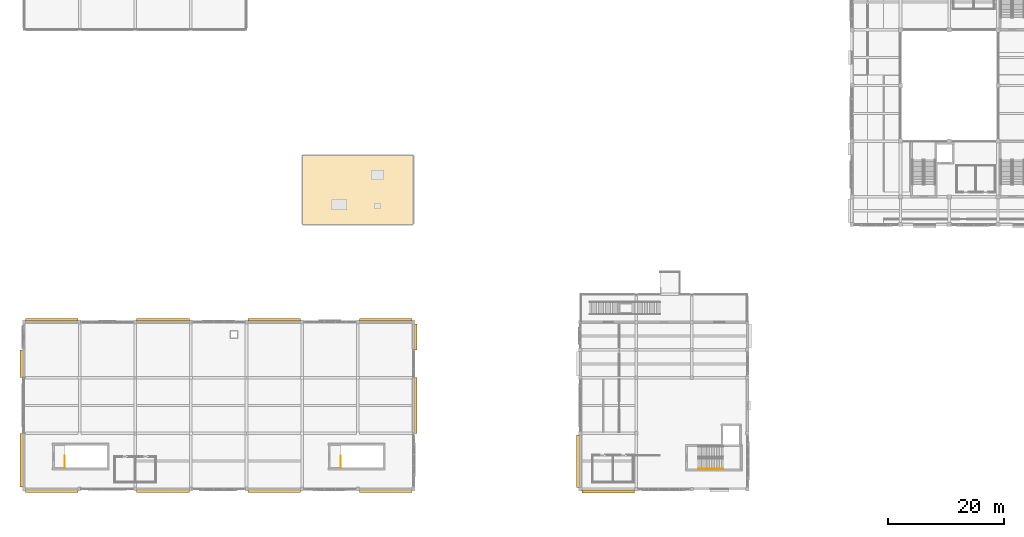
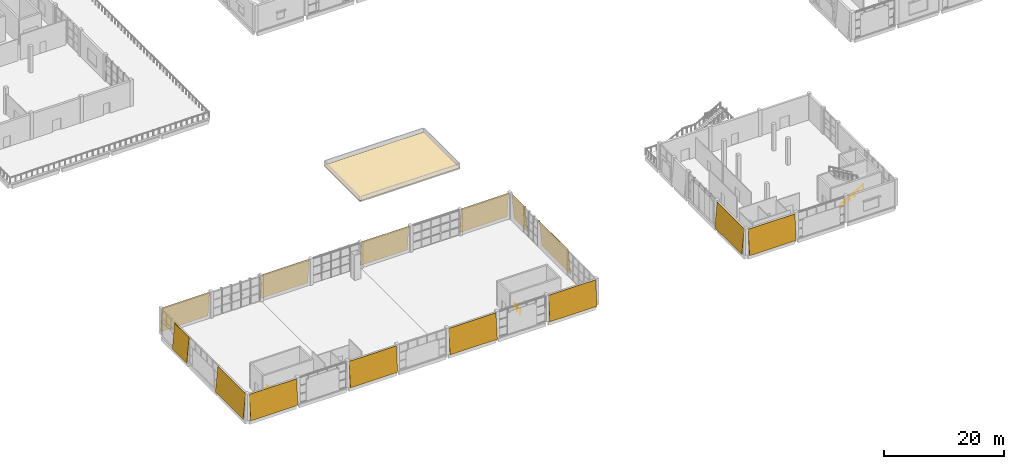
# One storey, part 58 of 72: 15 coverings, 3 railings.
"""IFC4 building model written with IfcOpenShell, lengths in metres."""

from ifc_helpers import new_model, si_unit, direction, frame, origin, origin_2d, place, context, subcontext, project, spatial, polyline, circle, outline, extrude, material, layer, layer_set, type_object, element, save


model = new_model("IFC4")

# Units and contexts
model_context = context("Model", 3, precision=1e-05, world=origin(), true_north=direction((0.0, 1.0)))
body_context = subcontext(model_context, "Body", "Model", "MODEL_VIEW")
ifc_project = project(units=[si_unit("LENGTHUNIT", "METRE"), si_unit("AREAUNIT", "SQUARE_METRE"), si_unit("VOLUMEUNIT", "CUBIC_METRE"), si_unit("PLANEANGLEUNIT", "RADIAN"), si_unit("MASSUNIT", "GRAM", prefix="KILO")], contexts=[model_context])

# Site, building, storey
site_placement = place(None, origin())
site = spatial("IfcSite", under=ifc_project, at=site_placement, CompositionType="ELEMENT")
building_placement = place(site_placement, origin())
building = spatial("IfcBuilding", under=site, at=building_placement, Name="Shalvenor Court Art Gallery", CompositionType="ELEMENT")
storey_placement = place(building_placement, frame((0.0, 0.0, 11.39990234375)))
storey = spatial("IfcBuildingStorey", under=building, at=storey_placement, Name="L02", CompositionType="ELEMENT", Elevation=11.39990234375)

# Coverings
ifc_material_1 = material(Name="Pale Mediterranean limestone cladding", Category="masonry")
ifc_layer_1 = layer(ifc_material_1, 0.080078125, Name="Pale Mediterranean limestone cladding")
ifc_layer_set_1 = layer_set([ifc_layer_1], Name="Pale Mediterranean limestone cladding")
covering_type_1 = type_object("IfcCoveringType", Name="CLD-01", PredefinedType="CLADDING", material=ifc_layer_set_1)
for number, where, z_axis, x_axis, name in (
    (1, (96.300048828125, -0.654052734375, 0.0), (0.0, 0.0, 1.0), (1.0, 0.0, 0.0), "L02 V3 Tapered Limestone Cladding 53"),
    (2, (95.345947265625, 9.300048828125, 0.0), (0.0, 0.0, 1.0), (0.0, -1.0, 0.0), "L02 V3 Tapered Limestone Cladding 54"),
):
    element("IfcCovering", number, at=place(storey_placement, frame(where, z_axis=z_axis, x_axis=x_axis)), inside=storey, type_object=covering_type_1, Name=name, PredefinedType="CLADDING", context=body_context, shape_type="SweptSolid", body=[
        extrude(outline(polyline([(0.0, 0.0), (9.0, 0.0), (9.0, 5.12109375), (0.0, 5.12109375), (0.0, 0.0)])), frame((0.0, 0.0, 0.0), z_axis=(0.0, -0.995884398616, 0.090632580198), x_axis=(1.0, 0.0, 0.0)), (0.0, 0.090632580198, -0.995884398616), 0.080322265625),
    ])
ifc_material_2 = material(Name="Honed Jerusalem limestone cladding", Category="masonry")
ifc_layer_2 = layer(ifc_material_2, 0.06494140625, Name="Honed Jerusalem limestone cladding")
ifc_layer_set_2 = layer_set([ifc_layer_2], Name="Honed Jerusalem limestone cladding")
covering_type_2 = type_object("IfcCoveringType", Name="CLD-02", PredefinedType="CLADDING", material=ifc_layer_set_2)
for number, where, z_axis, x_axis, name in (
    (3, (9.35009765625, 29.43408203125, 0.0), (0.0, 0.0, 1.0), (-1.0, 0.0, 0.0), "L02 V4 Tapered Limestone Cladding 81"),
    (4, (28.550048828125, 29.43408203125, 0.0), (0.0, 0.0, 1.0), (-1.0, 0.0, 0.0), "L02 V4 Tapered Limestone Cladding 82"),
    (5, (47.75, 29.43408203125, 0.0), (0.0, 0.0, 1.0), (-1.0, 0.0, 0.0), "L02 V4 Tapered Limestone Cladding 83"),
):
    element("IfcCovering", number, at=place(storey_placement, frame(where, z_axis=z_axis, x_axis=x_axis)), inside=storey, type_object=covering_type_2, Name=name, PredefinedType="CLADDING", context=body_context, shape_type="SweptSolid", body=[
        extrude(outline(polyline([(0.0, 0.0), (9.10009765625, 0.0), (9.10009765625, 5.12109375), (0.0, 5.12109375), (0.0, 0.0)])), frame((0.0, 0.0, 0.0), z_axis=(0.0, -0.995884398616, 0.090632580198), x_axis=(1.0, 0.0, 0.0)), (0.0, 0.090632580198, -0.995884398616), 0.080322265625),
    ])
covering_1_placement = place(storey_placement, frame((66.949951171875, 29.43408203125, 0.0), z_axis=(0.0, 0.0, 1.0), x_axis=(-1.0, 0.0, 0.0)))
element("IfcCovering", 6, at=covering_1_placement, inside=storey, type_object=covering_type_2, Name="L02 V4 Tapered Limestone Cladding 84", PredefinedType="CLADDING", context=body_context, shape_type="SweptSolid", body=[
    extrude(outline(polyline([(0.0, 0.0), (9.099853515625, 0.0), (9.099853515625, 5.12109375), (0.0, 5.12109375), (0.0, 0.0)])), frame((0.0, 0.0, 0.0), z_axis=(0.0, -0.995884398616, 0.090632580198), x_axis=(1.0, 0.0, 0.0)), (0.0, 0.090632580198, -0.995884398616), 0.080322265625),
])
covering_2_placement = place(storey_placement, frame((67.833984375, 24.0, 0.0), z_axis=(0.0, 0.0, 1.0), x_axis=(0.0, 1.0, 0.0)))
element("IfcCovering", 7, at=covering_2_placement, inside=storey, type_object=covering_type_2, Name="L02 V4 Tapered Limestone Cladding 85", PredefinedType="CLADDING", context=body_context, shape_type="SweptSolid", body=[
    extrude(outline(polyline([(0.0, 0.0), (4.425048828125, 0.0), (4.425048828125, 5.12109375), (0.0, 5.12109375), (0.0, 0.0)])), frame((0.0, 0.0, 0.0), z_axis=(0.0, -0.995884398616, 0.090632580198), x_axis=(1.0, 0.0, 0.0)), (0.0, 0.090632580198, -0.995884398616), 0.080322265625),
])
covering_3_placement = place(storey_placement, frame((67.833984375, 9.60009765625, 0.0), z_axis=(0.0, 0.0, 1.0), x_axis=(0.0, 1.0, 0.0)))
element("IfcCovering", 8, at=covering_3_placement, inside=storey, type_object=covering_type_2, Name="L02 V4 Tapered Limestone Cladding 86", PredefinedType="CLADDING", context=body_context, shape_type="SweptSolid", body=[
    extrude(outline(polyline([(0.0, 0.0), (9.599853515625, 0.0), (9.599853515625, 5.12109375), (0.0, 5.12109375), (0.0, 0.0)])), frame((0.0, 0.0, 0.0), z_axis=(0.0, -0.995884398616, 0.090632580198), x_axis=(1.0, 0.0, 0.0)), (0.0, 0.090632580198, -0.995884398616), 0.080322265625),
])
covering_4_placement = place(storey_placement, frame((57.85009765625, -0.634033203125, 0.0), z_axis=(0.0, 0.0, 1.0), x_axis=(1.0, 0.0, 0.0)))
element("IfcCovering", 9, at=covering_4_placement, inside=storey, type_object=covering_type_2, Name="L02 V4 Tapered Limestone Cladding 87", PredefinedType="CLADDING", context=body_context, shape_type="SweptSolid", body=[
    extrude(outline(polyline([(0.0, 0.0), (9.099853515625, 0.0), (9.099853515625, 5.12109375), (0.0, 5.12109375), (0.0, 0.0)])), frame((0.0, 0.0, 0.0), z_axis=(0.0, -0.995884398616, 0.090632580198), x_axis=(1.0, 0.0, 0.0)), (0.0, 0.090632580198, -0.995884398616), 0.080322265625),
])
for number, where, z_axis, x_axis, name in (
    (10, (38.64990234375, -0.634033203125, 0.0), (0.0, 0.0, 1.0), (1.0, 0.0, 0.0), "L02 V4 Tapered Limestone Cladding 88"),
    (11, (19.449951171875, -0.634033203125, 0.0), (0.0, 0.0, 1.0), (1.0, 0.0, 0.0), "L02 V4 Tapered Limestone Cladding 89"),
    (12, (0.25, -0.634033203125, 0.0), (0.0, 0.0, 1.0), (1.0, 0.0, 0.0), "L02 V4 Tapered Limestone Cladding 90"),
):
    element("IfcCovering", number, at=place(storey_placement, frame(where, z_axis=z_axis, x_axis=x_axis)), inside=storey, type_object=covering_type_2, Name=name, PredefinedType="CLADDING", context=body_context, shape_type="SweptSolid", body=[
        extrude(outline(polyline([(0.0, 0.0), (9.10009765625, 0.0), (9.10009765625, 5.12109375), (0.0, 5.12109375), (0.0, 0.0)])), frame((0.0, 0.0, 0.0), z_axis=(0.0, -0.995884398616, 0.090632580198), x_axis=(1.0, 0.0, 0.0)), (0.0, 0.090632580198, -0.995884398616), 0.080322265625),
    ])
covering_5_placement = place(storey_placement, frame((-0.634033203125, 9.60009765625, 0.0), z_axis=(0.0, 0.0, 1.0), x_axis=(0.0, -1.0, 0.0)))
element("IfcCovering", 13, at=covering_5_placement, inside=storey, type_object=covering_type_2, Name="L02 V4 Tapered Limestone Cladding 91", PredefinedType="CLADDING", context=body_context, shape_type="SweptSolid", body=[
    extrude(outline(polyline([(0.0, 0.0), (9.22509765625, 0.0), (9.22509765625, 5.12109375), (0.0, 5.12109375), (0.0, 0.0)])), frame((0.0, 0.0, 0.0), z_axis=(0.0, -0.995884398616, 0.090632580198), x_axis=(1.0, 0.0, 0.0)), (0.0, 0.090632580198, -0.995884398616), 0.080322265625),
])
covering_6_placement = place(storey_placement, frame((-0.634033203125, 24.0, 0.0), z_axis=(0.0, 0.0, 1.0), x_axis=(0.0, -1.0, 0.0)))
element("IfcCovering", 14, at=covering_6_placement, inside=storey, type_object=covering_type_2, Name="L02 V4 Tapered Limestone Cladding 92", PredefinedType="CLADDING", context=body_context, shape_type="SweptSolid", body=[
    extrude(outline(polyline([(0.0, 0.0), (4.800048828125, 0.0), (4.800048828125, 5.12109375), (0.0, 5.12109375), (0.0, 0.0)])), frame((0.0, 0.0, 0.0), z_axis=(0.0, -0.995884398616, 0.090632580198), x_axis=(1.0, 0.0, 0.0)), (0.0, 0.090632580198, -0.995884398616), 0.080322265625),
])

# Railings
ifc_material_3 = material(Name="Painted steel post-and-rail guard", Category="steel")
railing_type_1 = type_object("IfcRailingType", Name="GR-02", PredefinedType="GUARDRAIL", material=ifc_material_3)
for number, where, name in (
    (15, (7.050048828125, 3.60009765625, 0.0), "L02 ST-07 Top Well Guard 1"),
    (16, (54.64990234375, 3.60009765625, 0.0), "L02 ST-08 Top Well Guard 1"),
):
    element("IfcRailing", number, at=place(storey_placement, frame(where)), inside=storey, type_object=railing_type_1, Name=name, PredefinedType="GUARDRAIL", context=body_context, shape_type="SweptSolid", body=[
        extrude(circle(Radius=0.02392578125, at=origin_2d()), frame((0.0, 0.0, 1.09619140625), z_axis=(0.0, 1.0, 0.0), x_axis=(-1.0, 0.0, 0.0)), (0.0, 0.0, 1.0), 2.099853515625),
        extrude(circle(Radius=0.02099609375, at=origin_2d()), origin(), (0.0, 0.0, 1.0), 1.072021484375),
        extrude(circle(Radius=0.02099609375, at=origin_2d()), frame((0.0, 1.0498046875, 0.0)), (0.0, 0.0, 1.0), 1.072021484375),
        extrude(circle(Radius=0.02099609375, at=origin_2d()), frame((0.0, 2.099853515625, 0.0)), (0.0, 0.0, 1.0), 1.072021484375),
    ])
ifc_material_4 = material(Name="Brushed stainless steel handrail", Category="steel")
railing_type_2 = type_object("IfcRailingType", Name="HR-01", PredefinedType="HANDRAIL", material=ifc_material_4)
railing_placement = place(storey_placement, frame((116.300048828125, 3.449951171875, 0.1689453125)))
element("IfcRailing", 17, at=railing_placement, inside=storey, type_object=railing_type_2, Name="L02 ST-04 Stair Handrail 1", PredefinedType="HANDRAIL", context=body_context, shape_type="SweptSolid", body=[
    extrude(circle(Radius=0.02392578125, at=origin_2d()), frame((0.0, 0.0, 0.8759765625), z_axis=(0.860470286479, 0.0, 0.509500624227), x_axis=(0.0, 1.0, 0.0)), (0.0, 0.0, 1.0), 4.968017578125),
    extrude(circle(Radius=0.02099609375, at=origin_2d()), origin(), (0.0, 0.0, 1.0), 0.851806640625),
    extrude(circle(Radius=0.02099609375, at=origin_2d()), frame((0.85498046875, 0.0, 0.50634765625)), (0.0, 0.0, 1.0), 0.851806640625),
    extrude(circle(Radius=0.02099609375, at=origin_2d()), frame((1.7099609375, 0.0, 1.012451171875)), (0.0, 0.0, 1.0), 0.851806640625),
    extrude(circle(Radius=0.02099609375, at=origin_2d()), frame((2.56494140625, 0.0, 1.518798828125)), (0.0, 0.0, 1.0), 0.851806640625),
    extrude(circle(Radius=0.02099609375, at=origin_2d()), frame((3.419921875, 0.0, 2.02490234375)), (0.0, 0.0, 1.0), 0.851806640625),
    extrude(circle(Radius=0.02099609375, at=origin_2d()), frame((4.27490234375, 0.0, 2.53125)), (0.0, 0.0, 1.0), 0.851806640625),
])

# Covering
ifc_material_5 = material(Name="Standing-seam zinc insulated roofing", Category="other")
ifc_layer_3 = layer(ifc_material_5, 0.074951171875, Name="Standing-seam zinc insulated roofing")
ifc_layer_set_3 = layer_set([ifc_layer_3], Name="Standing-seam zinc insulated roofing")
covering_type_3 = type_object("IfcCoveringType", Name="RFC-02", PredefinedType="ROOFING", material=ifc_layer_set_3)
covering_7_placement = place(storey_placement, origin())
element("IfcCovering", 18, at=covering_7_placement, inside=storey, type_object=covering_type_3, Name="L02 Insulated Roof Membrane 4", PredefinedType="ROOFING", context=body_context, shape_type="SweptSolid", body=[
    extrude(outline(polyline([(67.199951171875, 45.60009765625), (67.199951171875, 57.60009765625), (48.0, 57.60009765625), (48.0, 45.60009765625), (67.199951171875, 45.60009765625)])), origin(), (0.0, 0.0, 1.0), 0.080078125),
])

save(model, "model.ifc")
